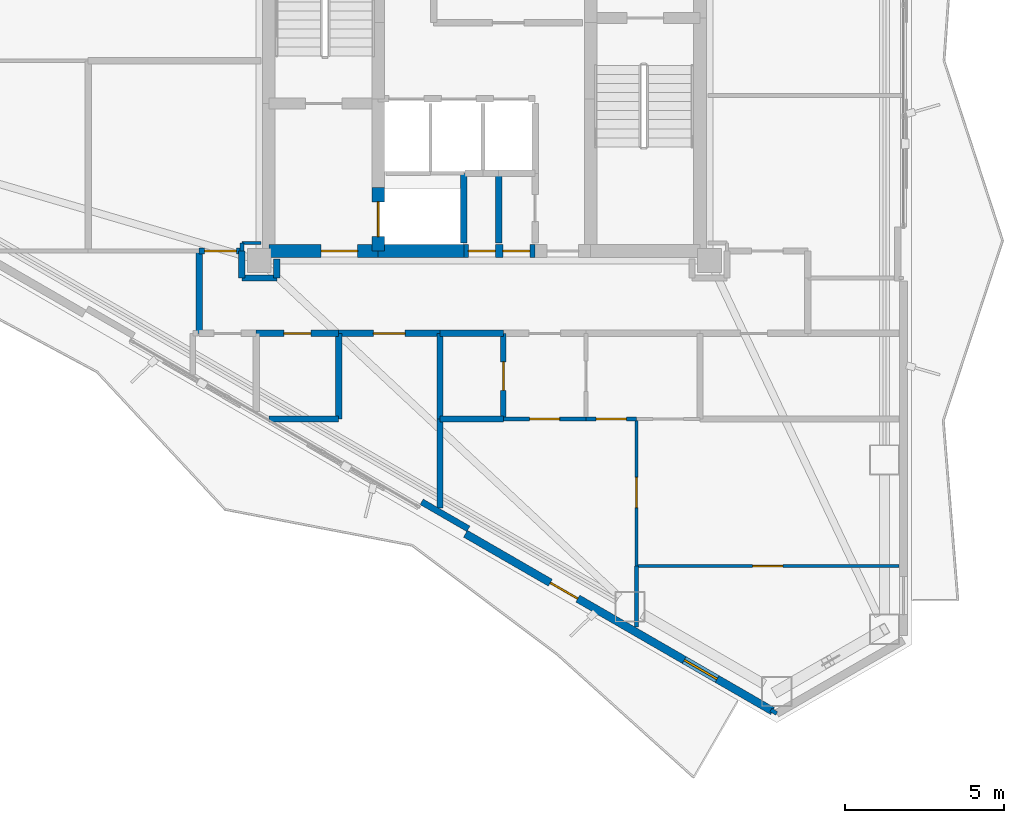
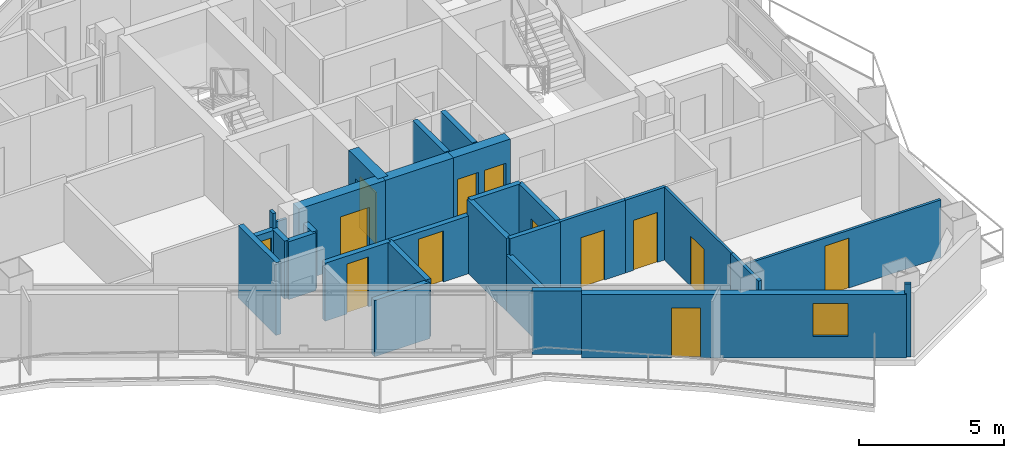
# One storey, part 12 of 19: 30 walls, 13 doors, 1 window, 14 openings.
"""IFC4 building model written with IfcOpenShell, lengths in metres."""

from ifc_helpers import new_model, si_unit, direction, frame, frame_2d, origin, place, context, subcontext, project, spatial, rectangle, extrude, material, layer, layer_set, type_object, element, fill, save


model = new_model("IFC4")

# Units and contexts
model_context = context("Model", 3, precision=1e-05, world=origin(), true_north=direction((0.0, 1.0)))
body_context = subcontext(model_context, "Body", "Model", "MODEL_VIEW")
ifc_project = project(units=[si_unit("LENGTHUNIT", "METRE"), si_unit("AREAUNIT", "SQUARE_METRE"), si_unit("VOLUMEUNIT", "CUBIC_METRE"), si_unit("PLANEANGLEUNIT", "RADIAN"), si_unit("MASSUNIT", "GRAM", prefix="KILO")], contexts=[model_context])

# Site, building, storey
site_placement = place(None, origin())
site = spatial("IfcSite", under=ifc_project, at=site_placement, CompositionType="ELEMENT")
building_placement = place(site_placement, origin())
building = spatial("IfcBuilding", under=site, at=building_placement, Name="Mersakhor Tower and Convention Hall", CompositionType="ELEMENT")
storey_placement = place(building_placement, frame((0.0, 0.0, 131.10009765625)))
storey = spatial("IfcBuildingStorey", under=building, at=storey_placement, Name="L36", CompositionType="ELEMENT", Elevation=131.10009765625)

# Wall, openings, door, window
ifc_material_1 = material(Name="Precast concrete C40/50", Category="concrete")
ifc_layer_1 = layer(ifc_material_1, 0.25)
ifc_layer_set_1 = layer_set([ifc_layer_1], Name="Precast concrete C40/50")
wall_type_1 = type_object("IfcWallType", Name="WL-EXT-250", PredefinedType="SOLIDWALL", material=ifc_layer_set_1)
wall_1_placement = place(storey_placement, frame((38.090576171875, 6.2373046875, 0.0), z_axis=(0.0, 0.0, 1.0), x_axis=(-0.86602239209, 0.500005216371, 0.0)))
wall_1 = element("IfcWall", 1, at=wall_1_placement, inside=storey, type_object=wall_type_1, Name="L36 Exterior Facade Wall F3-B1", PredefinedType="SOLIDWALL", context=body_context, shape_type="SweptSolid", body=[
    extrude(rectangle(XDim=11.18603515625, YDim=0.25, at=frame_2d((5.593017578125, 0.0))), origin(), (0.0, 0.0, 1.0), 2.679931640625),
])
opening_1_placement = place(wall_1_placement, frame((7.094970703125, 0.0, 0.0)))
opening_1 = element("IfcOpeningElement", 2, at=opening_1_placement, cuts=wall_1, Name="Opening BD-01", PredefinedType="OPENING", context=body_context, shape_type="SweptSolid", body=[
    extrude(rectangle(XDim=1.0, YDim=2.10009765625, at=frame_2d((0.5, 1.050048828125))), frame((0.0, 0.135009765625, 0.0), z_axis=(0.0, -1.0, 0.0), x_axis=(1.0, 0.0, 0.0)), (0.0, 0.0, 1.0), 0.27001953125),
])
opening_2_placement = place(wall_1_placement, frame((2.02001953125, 0.0, 0.89990234375)))
opening_2 = element("IfcOpeningElement", 3, at=opening_2_placement, cuts=wall_1, Name="Opening W-01", PredefinedType="OPENING", context=body_context, shape_type="SweptSolid", body=[
    extrude(rectangle(XDim=1.199951171875, YDim=1.39990234375, at=frame_2d((0.60009765625, 0.699951171875))), frame((0.0, 0.135009765625, 0.0), z_axis=(0.0, -1.0, 0.0), x_axis=(1.0, 0.0, 0.0)), (0.0, 0.0, 1.0), 0.27001953125),
])
ifc_material_2 = material(Name="Thermally broken dark aluminium and safety glass", Category="aluminium")
door_type_1 = type_object("IfcDoorType", Name="DR-BAL-100x210", OperationType="NOTDEFINED", PredefinedType="DOOR", material=ifc_material_2)
door_1_placement = place(opening_1_placement, origin())
door_1 = element("IfcDoor", 4, at=door_1_placement, inside=storey, type_object=door_type_1, Name="L36 Balcony Terrace Door F3-B1", OperationType="SINGLE_SWING_LEFT", OverallHeight=2.10009765625, OverallWidth=1.0, PredefinedType="DOOR", context=body_context, shape_type="SweptSolid", body=[
    extrude(rectangle(XDim=1.0, YDim=2.10009765625, at=frame_2d((0.5, 1.050048828125))), frame((0.0, 0.02490234375, 0.0), z_axis=(0.0, -1.0, 0.0), x_axis=(1.0, 0.0, 0.0)), (0.0, 0.0, 1.0), 0.050048828125),
])
fill(opening_1, door_1)
ifc_material_3 = material(Name="Dark solar low-E glazed aluminium window", Category="aluminium")
window_type = type_object("IfcWindowType", Name="WN-RES-120x150", PartitioningType="SINGLE_PANEL", PredefinedType="WINDOW", material=ifc_material_3)
window_placement = place(opening_2_placement, origin())
window = element("IfcWindow", 5, at=window_placement, inside=storey, type_object=window_type, Name="L36 Bedroom Facade Window F3-B1-1", OverallHeight=1.39990234375, OverallWidth=1.199951171875, PartitioningType="SINGLE_PANEL", PredefinedType="WINDOW", context=body_context, shape_type="SweptSolid", body=[
    extrude(rectangle(XDim=1.199951171875, YDim=1.39990234375, at=frame_2d((0.60009765625, 0.699951171875))), frame((0.0, 0.030029296875, 0.0), z_axis=(0.0, -1.0, 0.0), x_axis=(1.0, 0.0, 0.0)), (0.0, 0.0, 1.0), 0.06005859375),
])
fill(opening_2, window)

# Wall
ifc_material_4 = material(Name="Precast concrete C40/50", Category="concrete")
ifc_layer_2 = layer(ifc_material_4, 0.199951171875)
ifc_layer_set_2 = layer_set([ifc_layer_2], Name="Precast concrete C40/50")
wall_type_2 = type_object("IfcWallType", Name="WL-PAR-200", PredefinedType="PARAPET", material=ifc_layer_set_2)
wall_2_placement = place(storey_placement, frame((28.4931640625, 11.986328125, 0.0), z_axis=(0.0, 0.0, 1.0), x_axis=(-0.86605165483, 0.499954529098, 0.0)))
element("IfcWall", 6, at=wall_2_placement, inside=storey, type_object=wall_type_2, Name="L36 Column Pier Cladding Wall F3-C1", PredefinedType="PARAPET", context=body_context, shape_type="SweptSolid", body=[
    extrude(rectangle(XDim=1.699951171875, YDim=0.199951171875, at=frame_2d((0.85009765625, 0.0))), origin(), (0.0, 0.0, 1.0), 2.679931640625),
])

# Wall, opening, door
ifc_material_5 = material(Name="Moisture-resistant acoustic drywall studwork", Category="other")
ifc_layer_3 = layer(ifc_material_5, 0.175048828125)
ifc_layer_set_3 = layer_set([ifc_layer_3], Name="Moisture-resistant acoustic drywall studwork")
wall_type_3 = type_object("IfcWallType", Name="WL-PLM-175", PredefinedType="PLUMBINGWALL", material=ifc_layer_set_3)
wall_3_placement = place(storey_placement, frame((29.60009765625, 15.449951171875, 0.0), z_axis=(0.0, 0.0, 1.0), x_axis=(0.0, 1.0, 0.0)))
wall_3 = element("IfcWall", 7, at=wall_3_placement, inside=storey, type_object=wall_type_3, Name="L36 Interior Partition Wall P-056", PredefinedType="PLUMBINGWALL", context=body_context, shape_type="SweptSolid", body=[
    extrude(rectangle(XDim=2.699951171875, YDim=0.175048828125, at=frame_2d((1.35009765625, 0.0))), origin(), (0.0, 0.0, 1.0), 3.059814453125),
])
opening_3_placement = place(wall_3_placement, frame((0.89990234375, 0.0, 0.0)))
opening_3 = element("IfcOpeningElement", 8, at=opening_3_placement, cuts=wall_3, Name="Opening WD-01", PredefinedType="OPENING", context=body_context, shape_type="SweptSolid", body=[
    extrude(rectangle(XDim=0.89990234375, YDim=2.10009765625, at=frame_2d((0.449951171875, 1.050048828125))), frame((0.0, 0.097412109375, 0.0), z_axis=(0.0, -1.0, 0.0), x_axis=(1.0, 0.0, 0.0)), (0.0, 0.0, 1.0), 0.195068359375),
])
ifc_material_6 = material(Name="Solid-core hardwood leaf in painted steel frame", Category="steel")
door_type_2 = type_object("IfcDoorType", Name="DR-INT-WET-090x210", OperationType="NOTDEFINED", PredefinedType="DOOR", material=ifc_material_6)
door_2_placement = place(opening_3_placement, origin())
door_2 = element("IfcDoor", 9, at=door_2_placement, inside=storey, type_object=door_type_2, Name="L36 L36 Flat S3 Apartment Hall to L36 Flat S3 Bathroom Door", OperationType="SINGLE_SWING_LEFT", OverallHeight=2.10009765625, OverallWidth=0.89990234375, PredefinedType="DOOR", context=body_context, shape_type="SweptSolid", body=[
    extrude(rectangle(XDim=0.89990234375, YDim=2.10009765625, at=frame_2d((0.449951171875, 1.050048828125))), frame((0.0, 0.02490234375, 0.0), z_axis=(0.0, -1.0, 0.0), x_axis=(1.0, 0.0, 0.0)), (0.0, 0.0, 1.0), 0.050048828125),
])
fill(opening_3, door_2)

# Walls
wall_4_placement = place(storey_placement, frame((29.60009765625, 15.449951171875, 0.0), z_axis=(0.0, 0.0, 1.0), x_axis=(-1.0, 0.0, 0.0)))
element("IfcWall", 10, at=wall_4_placement, inside=storey, type_object=wall_type_3, Name="L36 Interior Partition Wall P-074", PredefinedType="PLUMBINGWALL", context=body_context, shape_type="SweptSolid", body=[
    extrude(rectangle(XDim=2.0, YDim=0.175048828125, at=frame_2d((1.0, 0.0))), origin(), (0.0, 0.0, 1.0), 3.059814453125),
])
ifc_material_7 = material(Name="Lightweight gypsum partition", Category="other")
ifc_layer_4 = layer(ifc_material_7, 0.10009765625)
ifc_layer_set_4 = layer_set([ifc_layer_4], Name="Lightweight gypsum partition")
wall_type_4 = type_object("IfcWallType", Name="WL-PRT-100", PredefinedType="PARTITIONING", material=ifc_layer_set_4)
wall_5_placement = place(storey_placement, frame((21.949951171875, 21.0, 0.0), z_axis=(0.0, 0.0, 1.0), x_axis=(-1.0, 0.0, 0.0)))
element("IfcWall", 11, at=wall_5_placement, inside=storey, type_object=wall_type_4, Name="L36 Interior Partition Wall P-096", PredefinedType="PARTITIONING", context=body_context, shape_type="SweptSolid", body=[
    extrude(rectangle(XDim=0.599853515625, YDim=0.10009765625, at=frame_2d((0.2998046875, 0.0))), origin(), (0.0, 0.0, 1.0), 2.50830078125),
])

# Wall, opening, door
wall_6_placement = place(storey_placement, frame((33.800048828125, 15.449951171875, 0.0), z_axis=(0.0, 0.0, 1.0), x_axis=(0.0, -1.0, 0.0)))
wall_6 = element("IfcWall", 12, at=wall_6_placement, inside=storey, type_object=wall_type_4, Name="L36 Interior Partition Wall P-120", PredefinedType="PARTITIONING", context=body_context, shape_type="SweptSolid", body=[
    extrude(rectangle(XDim=4.639892578125, YDim=0.10009765625, at=frame_2d((2.31982421875, 0.0))), origin(), (0.0, 0.0, 1.0), 3.059814453125),
])
opening_4_placement = place(wall_6_placement, frame((1.844970703125, 0.0, 0.0)))
opening_4 = element("IfcOpeningElement", 13, at=opening_4_placement, cuts=wall_6, Name="Opening RD-01", PredefinedType="OPENING", context=body_context, shape_type="SweptSolid", body=[
    extrude(rectangle(XDim=0.949951171875, YDim=2.10009765625, at=frame_2d((0.47509765625, 1.050048828125))), frame((0.0, 0.06005859375, 0.0), z_axis=(0.0, -1.0, 0.0), x_axis=(1.0, 0.0, 0.0)), (0.0, 0.0, 1.0), 0.1201171875),
])
ifc_material_8 = material(Name="Solid-core hardwood leaf in painted steel frame", Category="steel")
door_type_3 = type_object("IfcDoorType", Name="DR-INT-RM-095x210", OperationType="NOTDEFINED", PredefinedType="DOOR", material=ifc_material_8)
door_3_placement = place(opening_4_placement, origin())
door_3 = element("IfcDoor", 14, at=door_3_placement, inside=storey, type_object=door_type_3, Name="L36 L36 Flat S3 Living and Dining Room to L36 Flat S3 Dining Room Door", OperationType="SINGLE_SWING_LEFT", OverallHeight=2.10009765625, OverallWidth=0.949951171875, PredefinedType="DOOR", context=body_context, shape_type="SweptSolid", body=[
    extrude(rectangle(XDim=0.949951171875, YDim=2.10009765625, at=frame_2d((0.47509765625, 1.050048828125))), frame((0.0, 0.02490234375, 0.0), z_axis=(0.0, -1.0, 0.0), x_axis=(1.0, 0.0, 0.0)), (0.0, 0.0, 1.0), 0.050048828125),
])
fill(opening_4, door_3)

wall_7_placement = place(storey_placement, frame((33.800048828125, 10.81005859375, 0.0), z_axis=(0.0, 0.0, 1.0), x_axis=(1.0, 0.0, 0.0)))
wall_7 = element("IfcWall", 15, at=wall_7_placement, inside=storey, type_object=wall_type_4, Name="L36 Interior Partition Wall P-122", PredefinedType="PARTITIONING", context=body_context, shape_type="SweptSolid", body=[
    extrude(rectangle(XDim=8.270263671875, YDim=0.10009765625, at=frame_2d((4.13525390625, 0.0))), origin(), (0.0, 0.0, 1.0), 2.4326171875),
])
opening_5_placement = place(wall_7_placement, frame((3.66015625, 0.0, 0.0)))
opening_5 = element("IfcOpeningElement", 16, at=opening_5_placement, cuts=wall_7, Name="Opening RD-01", PredefinedType="OPENING", context=body_context, shape_type="SweptSolid", body=[
    extrude(rectangle(XDim=0.949951171875, YDim=2.10009765625, at=frame_2d((0.47509765625, 1.050048828125))), frame((0.0, 0.06005859375, 0.0), z_axis=(0.0, -1.0, 0.0), x_axis=(1.0, 0.0, 0.0)), (0.0, 0.0, 1.0), 0.1201171875),
])
door_4_placement = place(opening_5_placement, origin())
door_4 = element("IfcDoor", 17, at=door_4_placement, inside=storey, type_object=door_type_3, Name="L36 L36 Flat S3 Bedroom 1 to L36 Flat S3 Dining Room Door", OperationType="SINGLE_SWING_RIGHT", OverallHeight=2.10009765625, OverallWidth=0.949951171875, PredefinedType="DOOR", context=body_context, shape_type="SweptSolid", body=[
    extrude(rectangle(XDim=0.949951171875, YDim=2.10009765625, at=frame_2d((0.47509765625, 1.050048828125))), frame((0.0, 0.02490234375, 0.0), z_axis=(0.0, -1.0, 0.0), x_axis=(1.0, 0.0, 0.0)), (0.0, 0.0, 1.0), 0.050048828125),
])
fill(opening_5, door_4)

ifc_material_9 = material(Name="Gypsum board acoustic partition", Category="other")
ifc_layer_5 = layer(ifc_material_9, 0.125)
ifc_layer_set_5 = layer_set([ifc_layer_5], Name="Gypsum board acoustic partition")
wall_type_5 = type_object("IfcWallType", Name="WL-PRT-125", PredefinedType="PARTITIONING", material=ifc_layer_set_5)
wall_8_placement = place(storey_placement, frame((32.199951171875, 15.449951171875, 0.0), z_axis=(0.0, 0.0, 1.0), x_axis=(-1.0, 0.0, 0.0)))
wall_8 = element("IfcWall", 18, at=wall_8_placement, inside=storey, type_object=wall_type_5, Name="L36 Interior Partition Wall P-055", PredefinedType="PARTITIONING", context=body_context, shape_type="SweptSolid", body=[
    extrude(rectangle(XDim=2.599853515625, YDim=0.125, at=frame_2d((1.2998046875, 0.0))), origin(), (0.0, 0.0, 1.0), 3.059814453125),
])
opening_6_placement = place(wall_8_placement, frame((0.824951171875, 0.0, 0.0)))
opening_6 = element("IfcOpeningElement", 19, at=opening_6_placement, cuts=wall_8, Name="Opening RD-01", PredefinedType="OPENING", context=body_context, shape_type="SweptSolid", body=[
    extrude(rectangle(XDim=0.949951171875, YDim=2.10009765625, at=frame_2d((0.47509765625, 1.050048828125))), frame((0.0, 0.072509765625, 0.0), z_axis=(0.0, -1.0, 0.0), x_axis=(1.0, 0.0, 0.0)), (0.0, 0.0, 1.0), 0.14501953125),
])
door_5_placement = place(opening_6_placement, origin())
door_5 = element("IfcDoor", 20, at=door_5_placement, inside=storey, type_object=door_type_3, Name="L36 L36 Flat S3 Apartment Hall to L36 Flat S3 Living and Dining Room Door", OperationType="SINGLE_SWING_LEFT", OverallHeight=2.10009765625, OverallWidth=0.949951171875, PredefinedType="DOOR", context=body_context, shape_type="SweptSolid", body=[
    extrude(rectangle(XDim=0.949951171875, YDim=2.10009765625, at=frame_2d((0.47509765625, 1.050048828125))), frame((0.0, 0.02490234375, 0.0), z_axis=(0.0, -1.0, 0.0), x_axis=(1.0, 0.0, 0.0)), (0.0, 0.0, 1.0), 0.050048828125),
])
fill(opening_6, door_5)

wall_9_placement = place(storey_placement, frame((33.800048828125, 15.449951171875, 0.0), z_axis=(0.0, 0.0, 1.0), x_axis=(-1.0, 0.0, 0.0)))
wall_9 = element("IfcWall", 21, at=wall_9_placement, inside=storey, type_object=wall_type_5, Name="L36 Interior Partition Wall P-077", PredefinedType="PARTITIONING", context=body_context, shape_type="SweptSolid", body=[
    extrude(rectangle(XDim=1.60009765625, YDim=0.125, at=frame_2d((0.800048828125, 0.0))), origin(), (0.0, 0.0, 1.0), 3.059814453125),
])
opening_7_placement = place(wall_9_placement, frame((0.324951171875, 0.0, 0.0)))
opening_7 = element("IfcOpeningElement", 22, at=opening_7_placement, cuts=wall_9, Name="Opening RD-01", PredefinedType="OPENING", context=body_context, shape_type="SweptSolid", body=[
    extrude(rectangle(XDim=0.949951171875, YDim=2.10009765625, at=frame_2d((0.47509765625, 1.050048828125))), frame((0.0, 0.072509765625, 0.0), z_axis=(0.0, -1.0, 0.0), x_axis=(1.0, 0.0, 0.0)), (0.0, 0.0, 1.0), 0.14501953125),
])
door_6_placement = place(opening_7_placement, origin())
door_6 = element("IfcDoor", 23, at=door_6_placement, inside=storey, type_object=door_type_3, Name="L36 L36 Flat S3 Kitchen to L36 Flat S3 Living and Dining Room Door", OperationType="SINGLE_SWING_LEFT", OverallHeight=2.10009765625, OverallWidth=0.949951171875, PredefinedType="DOOR", context=body_context, shape_type="SweptSolid", body=[
    extrude(rectangle(XDim=0.949951171875, YDim=2.10009765625, at=frame_2d((0.47509765625, 1.050048828125))), frame((0.0, 0.02490234375, 0.0), z_axis=(0.0, -1.0, 0.0), x_axis=(1.0, 0.0, 0.0)), (0.0, 0.0, 1.0), 0.050048828125),
])
fill(opening_7, door_6)

# Walls
wall_10_placement = place(storey_placement, frame((21.35009765625, 21.0, 0.0), z_axis=(0.0, 0.0, 1.0), x_axis=(0.0, -1.0, 0.0)))
element("IfcWall", 24, at=wall_10_placement, inside=storey, type_object=wall_type_5, Name="L36 Interior Partition Wall P-097", PredefinedType="PARTITIONING", context=body_context, shape_type="SweptSolid", body=[
    extrude(rectangle(XDim=0.25, YDim=0.125, at=frame_2d((0.125, 0.0))), origin(), (0.0, 0.0, 1.0), 3.059814453125),
])
wall_11_placement = place(storey_placement, frame((33.800048828125, 10.81005859375, 0.0), z_axis=(0.0, 0.0, 1.0), x_axis=(0.0, -1.0, 0.0)))
element("IfcWall", 25, at=wall_11_placement, inside=storey, type_object=wall_type_5, Name="L36 Interior Partition Wall P-121", PredefinedType="PARTITIONING", context=body_context, shape_type="SweptSolid", body=[
    extrude(rectangle(XDim=1.92333984375, YDim=0.125, at=frame_2d((0.961669921875, 0.0))), origin(), (0.0, 0.0, 1.0), 3.059814453125),
])
wall_12_placement = place(storey_placement, frame((38.220703125, 6.162109375, 0.0), z_axis=(0.0, 0.0, 1.0), x_axis=(-0.865581379588, 0.500768285049, 0.0)))
element("IfcWall", 26, at=wall_12_placement, inside=storey, type_object=wall_type_5, Name="L36 Interior Partition Wall P-123", PredefinedType="PARTITIONING", context=body_context, shape_type="SweptSolid", body=[
    extrude(rectangle(XDim=0.215576171875, YDim=0.125, at=frame_2d((0.10791015625, 0.0))), origin(), (0.0, 0.0, 1.0), 3.059814453125),
])
ifc_material_10 = material(Name="Acoustic concrete blockwork and gypsum board", Category="masonry")
ifc_layer_6 = layer(ifc_material_10, 0.199951171875)
ifc_layer_set_6 = layer_set([ifc_layer_6], Name="Acoustic concrete blockwork and gypsum board")
wall_type_6 = type_object("IfcWallType", Name="WL-PRT-200", PredefinedType="PARTITIONING", material=ifc_layer_set_6)
wall_13_placement = place(storey_placement, frame((28.35009765625, 23.199951171875, 0.0), z_axis=(0.0, 0.0, 1.0), x_axis=(0.0, -1.0, 0.0)))
element("IfcWall", 27, at=wall_13_placement, inside=storey, type_object=wall_type_6, Name="L36 Interior Partition Wall P-003", PredefinedType="PARTITIONING", context=body_context, shape_type="SweptSolid", body=[
    extrude(rectangle(XDim=2.199951171875, YDim=0.199951171875, at=frame_2d((1.10009765625, 0.0))), origin(), (0.0, 0.0, 1.0), 3.059814453125),
])
wall_14_placement = place(storey_placement, frame((22.449951171875, 19.89990234375, 0.0), z_axis=(0.0, 0.0, 1.0), x_axis=(0.0, 1.0, 0.0)))
element("IfcWall", 28, at=wall_14_placement, inside=storey, type_object=wall_type_6, Name="L36 Interior Partition Wall P-034", PredefinedType="PARTITIONING", context=body_context, shape_type="SweptSolid", body=[
    extrude(rectangle(XDim=0.60009765625, YDim=0.199951171875, at=frame_2d((0.300048828125, 0.0))), origin(), (0.0, 0.0, 1.0), 2.4326171875),
])
wall_15_placement = place(storey_placement, frame((29.60009765625, 18.14990234375, 0.0), z_axis=(0.0, 0.0, 1.0), x_axis=(-1.0, 0.0, 0.0)))
element("IfcWall", 29, at=wall_15_placement, inside=storey, type_object=wall_type_6, Name="L36 Interior Partition Wall P-044", PredefinedType="PARTITIONING", context=body_context, shape_type="SweptSolid", body=[
    extrude(rectangle(XDim=2.0, YDim=0.199951171875, at=frame_2d((1.0, 0.0))), origin(), (0.0, 0.0, 1.0), 3.059814453125),
])

# Wall, opening, door
wall_16_placement = place(storey_placement, frame((27.60009765625, 18.14990234375, 0.0), z_axis=(0.0, 0.0, 1.0), x_axis=(-1.0, 0.0, 0.0)))
wall_16 = element("IfcWall", 30, at=wall_16_placement, inside=storey, type_object=wall_type_6, Name="L36 Interior Partition Wall P-045", PredefinedType="PARTITIONING", context=body_context, shape_type="SweptSolid", body=[
    extrude(rectangle(XDim=3.2001953125, YDim=0.199951171875, at=frame_2d((1.60009765625, 0.0))), origin(), (0.0, 0.0, 1.0), 2.4326171875),
])
opening_8_placement = place(wall_16_placement, frame((1.10009765625, 0.0, 0.0)))
opening_8 = element("IfcOpeningElement", 31, at=opening_8_placement, cuts=wall_16, Name="Opening FD-01", PredefinedType="OPENING", context=body_context, shape_type="SweptSolid", body=[
    extrude(rectangle(XDim=1.0, YDim=2.14990234375, at=frame_2d((0.5, 1.074951171875))), frame((0.0, 0.10986328125, 0.0), z_axis=(0.0, -1.0, 0.0), x_axis=(1.0, 0.0, 0.0)), (0.0, 0.0, 1.0), 0.219970703125),
])
ifc_material_11 = material(Name="Fire-rated hardwood leaf and painted steel frame", Category="steel")
door_type_4 = type_object("IfcDoorType", Name="DR-INT-FLT-100x215", OperationType="NOTDEFINED", PredefinedType="DOOR", material=ifc_material_11)
door_7_placement = place(opening_8_placement, origin())
door_7 = element("IfcDoor", 32, at=door_7_placement, inside=storey, type_object=door_type_4, Name="L36 Residential South Gallery Corridor to L36 Floor Shared Tea Pantry 2-3 Door", OperationType="SINGLE_SWING_LEFT", OverallHeight=2.14990234375, OverallWidth=1.0, PredefinedType="DOOR", context=body_context, shape_type="SweptSolid", body=[
    extrude(rectangle(XDim=1.0, YDim=2.14990234375, at=frame_2d((0.5, 1.074951171875))), frame((0.0, 0.02490234375, 0.0), z_axis=(0.0, -1.0, 0.0), x_axis=(1.0, 0.0, 0.0)), (0.0, 0.0, 1.0), 0.050048828125),
])
fill(opening_8, door_7)

wall_17_placement = place(storey_placement, frame((24.39990234375, 18.14990234375, 0.0), z_axis=(0.0, 0.0, 1.0), x_axis=(-1.0, 0.0, 0.0)))
wall_17 = element("IfcWall", 33, at=wall_17_placement, inside=storey, type_object=wall_type_6, Name="L36 Interior Partition Wall P-046", PredefinedType="PARTITIONING", context=body_context, shape_type="SweptSolid", body=[
    extrude(rectangle(XDim=2.599853515625, YDim=0.199951171875, at=frame_2d((1.2998046875, 0.0))), origin(), (0.0, 0.0, 1.0), 2.4326171875),
])
opening_9_placement = place(wall_17_placement, frame((0.875, 0.0, 0.0)))
opening_9 = element("IfcOpeningElement", 34, at=opening_9_placement, cuts=wall_17, Name="Opening SVD-01", PredefinedType="OPENING", context=body_context, shape_type="SweptSolid", body=[
    extrude(rectangle(XDim=0.85009765625, YDim=2.10009765625, at=frame_2d((0.425048828125, 1.050048828125))), frame((0.0, 0.10986328125, 0.0), z_axis=(0.0, -1.0, 0.0), x_axis=(1.0, 0.0, 0.0)), (0.0, 0.0, 1.0), 0.219970703125),
])
ifc_material_12 = material(Name="Fire-rated hardwood leaf and painted steel frame", Category="steel")
door_type_5 = type_object("IfcDoorType", Name="DR-INT-SVC-085x210", OperationType="NOTDEFINED", PredefinedType="DOOR", material=ifc_material_12)
door_8_placement = place(opening_9_placement, origin())
door_8 = element("IfcDoor", 35, at=door_8_placement, inside=storey, type_object=door_type_5, Name="L36 Residential South Gallery Corridor to L36 Floor Household Store Room 2-1 Door", OperationType="SINGLE_SWING_RIGHT", OverallHeight=2.10009765625, OverallWidth=0.85009765625, PredefinedType="DOOR", context=body_context, shape_type="SweptSolid", body=[
    extrude(rectangle(XDim=0.85009765625, YDim=2.10009765625, at=frame_2d((0.425048828125, 1.050048828125))), frame((0.0, 0.02490234375, 0.0), z_axis=(0.0, -1.0, 0.0), x_axis=(1.0, 0.0, 0.0)), (0.0, 0.0, 1.0), 0.050048828125),
])
fill(opening_9, door_8)

# Wall
wall_18_placement = place(storey_placement, frame((20.0, 18.14990234375, 0.0), z_axis=(0.0, 0.0, 1.0), x_axis=(0.0, 1.0, 0.0)))
element("IfcWall", 36, at=wall_18_placement, inside=storey, type_object=wall_type_6, Name="L36 Interior Partition Wall P-048", PredefinedType="PARTITIONING", context=body_context, shape_type="SweptSolid", body=[
    extrude(rectangle(XDim=2.60009765625, YDim=0.199951171875, at=frame_2d((1.300048828125, 0.0))), origin(), (0.0, 0.0, 1.0), 3.059814453125),
])

# Wall, opening, door
wall_19_placement = place(storey_placement, frame((20.0, 20.75, 0.0), z_axis=(0.0, 0.0, 1.0), x_axis=(1.0, 0.0, 0.0)))
wall_19 = element("IfcWall", 37, at=wall_19_placement, inside=storey, type_object=wall_type_6, Name="L36 Interior Partition Wall P-049", PredefinedType="PARTITIONING", context=body_context, shape_type="SweptSolid", body=[
    extrude(rectangle(XDim=1.35009765625, YDim=0.199951171875, at=frame_2d((0.675048828125, 0.0))), origin(), (0.0, 0.0, 1.0), 2.4326171875),
])
opening_10_placement = place(wall_19_placement, frame((0.175048828125, 0.0, 0.0)))
opening_10 = element("IfcOpeningElement", 38, at=opening_10_placement, cuts=wall_19, Name="Opening FD-01", PredefinedType="OPENING", context=body_context, shape_type="SweptSolid", body=[
    extrude(rectangle(XDim=1.0, YDim=2.14990234375, at=frame_2d((0.5, 1.074951171875))), frame((0.0, 0.10986328125, 0.0), z_axis=(0.0, -1.0, 0.0), x_axis=(1.0, 0.0, 0.0)), (0.0, 0.0, 1.0), 0.219970703125),
])
door_9_placement = place(opening_10_placement, origin())
door_9 = element("IfcDoor", 39, at=door_9_placement, inside=storey, type_object=door_type_4, Name="L36 Residential South Gallery Corridor to L36 West Wing Quiet Study Room Door", OperationType="SINGLE_SWING_RIGHT", OverallHeight=2.14990234375, OverallWidth=1.0, PredefinedType="DOOR", context=body_context, shape_type="SweptSolid", body=[
    extrude(rectangle(XDim=1.0, YDim=2.14990234375, at=frame_2d((0.5, 1.074951171875))), frame((0.0, 0.02490234375, 0.0), z_axis=(0.0, -1.0, 0.0), x_axis=(1.0, 0.0, 0.0)), (0.0, 0.0, 1.0), 0.050048828125),
])
fill(opening_10, door_9)

# Walls
wall_20_placement = place(storey_placement, frame((21.35009765625, 20.75, 0.0), z_axis=(0.0, 0.0, 1.0), x_axis=(0.0, -1.0, 0.0)))
element("IfcWall", 40, at=wall_20_placement, inside=storey, type_object=wall_type_6, Name="L36 Interior Partition Wall P-050", PredefinedType="PARTITIONING", context=body_context, shape_type="SweptSolid", body=[
    extrude(rectangle(XDim=0.85009765625, YDim=0.199951171875, at=frame_2d((0.425048828125, 0.0))), origin(), (0.0, 0.0, 1.0), 2.4326171875),
])
wall_21_placement = place(storey_placement, frame((21.35009765625, 19.89990234375, 0.0), z_axis=(0.0, 0.0, 1.0), x_axis=(1.0, 0.0, 0.0)))
element("IfcWall", 41, at=wall_21_placement, inside=storey, type_object=wall_type_6, Name="L36 Interior Partition Wall P-051", PredefinedType="PARTITIONING", context=body_context, shape_type="SweptSolid", body=[
    extrude(rectangle(XDim=1.099853515625, YDim=0.199951171875, at=frame_2d((0.5498046875, 0.0))), origin(), (0.0, 0.0, 1.0), 2.4326171875),
])
wall_22_placement = place(storey_placement, frame((27.60009765625, 15.449951171875, 0.0), z_axis=(0.0, 0.0, 1.0), x_axis=(0.0, 1.0, 0.0)))
element("IfcWall", 42, at=wall_22_placement, inside=storey, type_object=wall_type_6, Name="L36 Interior Partition Wall P-075", PredefinedType="PARTITIONING", context=body_context, shape_type="SweptSolid", body=[
    extrude(rectangle(XDim=2.699951171875, YDim=0.199951171875, at=frame_2d((1.35009765625, 0.0))), origin(), (0.0, 0.0, 1.0), 3.059814453125),
])
wall_23_placement = place(storey_placement, frame((29.449951171875, 23.199951171875, 0.0), z_axis=(0.0, 0.0, 1.0), x_axis=(0.0, -1.0, 0.0)))
element("IfcWall", 43, at=wall_23_placement, inside=storey, type_object=wall_type_6, Name="L36 Interior Partition Wall P-086", PredefinedType="PARTITIONING", context=body_context, shape_type="SweptSolid", body=[
    extrude(rectangle(XDim=2.199951171875, YDim=0.199951171875, at=frame_2d((1.10009765625, 0.0))), origin(), (0.0, 0.0, 1.0), 3.059814453125),
])
wall_24_placement = place(storey_placement, frame((24.39990234375, 18.14990234375, 0.0), z_axis=(0.0, 0.0, 1.0), x_axis=(0.0, -1.0, 0.0)))
element("IfcWall", 44, at=wall_24_placement, inside=storey, type_object=wall_type_6, Name="L36 Interior Partition Wall P-117", PredefinedType="PARTITIONING", context=body_context, shape_type="SweptSolid", body=[
    extrude(rectangle(XDim=2.699951171875, YDim=0.199951171875, at=frame_2d((1.35009765625, 0.0))), origin(), (0.0, 0.0, 1.0), 2.4326171875),
])
wall_25_placement = place(storey_placement, frame((24.39990234375, 15.449951171875, 0.0), z_axis=(0.0, 0.0, 1.0), x_axis=(-1.0, 0.0, 0.0)))
element("IfcWall", 45, at=wall_25_placement, inside=storey, type_object=wall_type_6, Name="L36 Interior Partition Wall P-118", PredefinedType="PARTITIONING", context=body_context, shape_type="SweptSolid", body=[
    extrude(rectangle(XDim=2.197021484375, YDim=0.199951171875, at=frame_2d((1.0986328125, 0.0))), origin(), (0.0, 0.0, 1.0), 2.364990234375),
])
wall_26_placement = place(storey_placement, frame((27.60009765625, 15.449951171875, 0.0), z_axis=(0.0, 0.0, 1.0), x_axis=(0.0, -1.0, 0.0)))
element("IfcWall", 46, at=wall_26_placement, inside=storey, type_object=wall_type_6, Name="L36 Interior Partition Wall P-119", PredefinedType="PARTITIONING", context=body_context, shape_type="SweptSolid", body=[
    extrude(rectangle(XDim=2.804931640625, YDim=0.199951171875, at=frame_2d((1.40234375, 0.0))), origin(), (0.0, 0.0, 1.0), 2.364990234375),
])

# Wall, openings, doors
ifc_material_13 = material(Name="Concrete C60/75", Category="concrete")
ifc_layer_7 = layer(ifc_material_13, 0.39990234375)
ifc_layer_set_7 = layer_set([ifc_layer_7], Name="Concrete C60/75")
wall_type_7 = type_object("IfcWallType", Name="WL-SHR-400", PredefinedType="SHEAR", material=ifc_layer_set_7)
wall_27_placement = place(storey_placement, frame((30.60009765625, 20.75, 0.0), z_axis=(0.0, 0.0, 1.0), x_axis=(-1.0, 0.0, 0.0)))
wall_27 = element("IfcWall", 47, at=wall_27_placement, inside=storey, type_object=wall_type_7, Name="L36 Core Wall CW-S2B", PredefinedType="SHEAR", context=body_context, shape_type="SweptSolid", body=[
    extrude(rectangle(XDim=2.25, YDim=0.39990234375, at=frame_2d((1.125, 0.0))), origin(), (0.0, 0.0, 1.0), 3.059814453125),
])
opening_11_placement = place(wall_27_placement, frame((1.2548828125, 0.0, 0.0)))
opening_11 = element("IfcOpeningElement", 48, at=opening_11_placement, cuts=wall_27, Name="Opening SVD-01", PredefinedType="OPENING", context=body_context, shape_type="SweptSolid", body=[
    extrude(rectangle(XDim=0.85009765625, YDim=2.10009765625, at=frame_2d((0.425048828125, 1.050048828125))), frame((0.0, 0.2099609375, 0.0), z_axis=(0.0, -1.0, 0.0), x_axis=(1.0, 0.0, 0.0)), (0.0, 0.0, 1.0), 0.419921875),
])
opening_12_placement = place(wall_27_placement, frame((0.169921875, 0.0, 0.0)))
opening_12 = element("IfcOpeningElement", 49, at=opening_12_placement, cuts=wall_27, Name="Opening SVD-01", PredefinedType="OPENING", context=body_context, shape_type="SweptSolid", body=[
    extrude(rectangle(XDim=0.85009765625, YDim=2.10009765625, at=frame_2d((0.425048828125, 1.050048828125))), frame((0.0, 0.2099609375, 0.0), z_axis=(0.0, -1.0, 0.0), x_axis=(1.0, 0.0, 0.0)), (0.0, 0.0, 1.0), 0.419921875),
])
door_10_placement = place(opening_11_placement, origin())
door_10 = element("IfcDoor", 50, at=door_10_placement, inside=storey, type_object=door_type_5, Name="L36 Residential South Gallery Corridor to Sub-Metering Switch Room Door", OperationType="SINGLE_SWING_LEFT", OverallHeight=2.10009765625, OverallWidth=0.85009765625, PredefinedType="DOOR", context=body_context, shape_type="SweptSolid", body=[
    extrude(rectangle(XDim=0.85009765625, YDim=2.10009765625, at=frame_2d((0.425048828125, 1.050048828125))), frame((0.0, 0.02490234375, 0.0), z_axis=(0.0, -1.0, 0.0), x_axis=(1.0, 0.0, 0.0)), (0.0, 0.0, 1.0), 0.050048828125),
])
fill(opening_11, door_10)
door_11_placement = place(opening_12_placement, origin())
door_11 = element("IfcDoor", 51, at=door_11_placement, inside=storey, type_object=door_type_5, Name="L36 Residential South Gallery Corridor to Core Maintenance Store Room Door", OperationType="SINGLE_SWING_RIGHT", OverallHeight=2.10009765625, OverallWidth=0.85009765625, PredefinedType="DOOR", context=body_context, shape_type="SweptSolid", body=[
    extrude(rectangle(XDim=0.85009765625, YDim=2.10009765625, at=frame_2d((0.425048828125, 1.050048828125))), frame((0.0, 0.02490234375, 0.0), z_axis=(0.0, -1.0, 0.0), x_axis=(1.0, 0.0, 0.0)), (0.0, 0.0, 1.0), 0.050048828125),
])
fill(opening_12, door_11)

# Wall
wall_28_placement = place(storey_placement, frame((28.35009765625, 20.75, 0.0), z_axis=(0.0, 0.0, 1.0), x_axis=(-1.0, 0.0, 0.0)))
element("IfcWall", 52, at=wall_28_placement, inside=storey, type_object=wall_type_7, Name="L36 Core Wall CW-S3", PredefinedType="SHEAR", context=body_context, shape_type="SweptSolid", body=[
    extrude(rectangle(XDim=2.7001953125, YDim=0.39990234375, at=frame_2d((1.35009765625, 0.0))), origin(), (0.0, 0.0, 1.0), 3.059814453125),
])

# Wall, opening, door
wall_29_placement = place(storey_placement, frame((25.64990234375, 20.75, 0.0), z_axis=(0.0, 0.0, 1.0), x_axis=(-1.0, 0.0, 0.0)))
wall_29 = element("IfcWall", 53, at=wall_29_placement, inside=storey, type_object=wall_type_7, Name="L36 Core Wall CW-S4", PredefinedType="SHEAR", context=body_context, shape_type="SweptSolid", body=[
    extrude(rectangle(XDim=3.449951171875, YDim=0.39990234375, at=frame_2d((1.72509765625, 0.0))), origin(), (0.0, 0.0, 1.0), 3.059814453125),
])
opening_13_placement = place(wall_29_placement, frame((0.64990234375, 0.0, 0.0)))
opening_13 = element("IfcOpeningElement", 54, at=opening_13_placement, cuts=wall_29, Name="Opening SD-01", PredefinedType="OPENING", context=body_context, shape_type="SweptSolid", body=[
    extrude(rectangle(XDim=1.14990234375, YDim=2.14990234375, at=frame_2d((0.574951171875, 1.074951171875))), frame((0.0, 0.2099609375, 0.0), z_axis=(0.0, -1.0, 0.0), x_axis=(1.0, 0.0, 0.0)), (0.0, 0.0, 1.0), 0.419921875),
])
ifc_material_14 = material(Name="Fire-rated hardwood leaf and painted steel frame", Category="steel")
door_type_6 = type_object("IfcDoorType", Name="DR-INT-STAIR-115x215", OperationType="NOTDEFINED", PredefinedType="DOOR", material=ifc_material_14)
door_12_placement = place(opening_13_placement, origin())
door_12 = element("IfcDoor", 55, at=door_12_placement, inside=storey, type_object=door_type_6, Name="L36 Firefighting Lobby West Fire Door", OperationType="SINGLE_SWING_LEFT", OverallHeight=2.14990234375, OverallWidth=1.14990234375, PredefinedType="DOOR", context=body_context, shape_type="SweptSolid", body=[
    extrude(rectangle(XDim=1.14990234375, YDim=2.14990234375, at=frame_2d((0.574951171875, 1.074951171875))), frame((0.0, 0.02490234375, 0.0), z_axis=(0.0, -1.0, 0.0), x_axis=(1.0, 0.0, 0.0)), (0.0, 0.0, 1.0), 0.050048828125),
])
fill(opening_13, door_12)

wall_30_placement = place(storey_placement, frame((25.64990234375, 20.75, 0.0), z_axis=(0.0, 0.0, 1.0), x_axis=(0.0, 1.0, 0.0)))
wall_30 = element("IfcWall", 56, at=wall_30_placement, inside=storey, type_object=wall_type_7, Name="L36 Core Wall CS-W-FFL", PredefinedType="SHEAR", context=body_context, shape_type="SweptSolid", body=[
    extrude(rectangle(XDim=2.0, YDim=0.39990234375, at=frame_2d((1.0, 0.0))), origin(), (0.0, 0.0, 1.0), 3.059814453125),
])
opening_14_placement = place(wall_30_placement, frame((0.449951171875, 0.0, 0.0)))
opening_14 = element("IfcOpeningElement", 57, at=opening_14_placement, cuts=wall_30, Name="Opening LD-FFL1", PredefinedType="OPENING", context=body_context, shape_type="SweptSolid", body=[
    extrude(rectangle(XDim=1.10009765625, YDim=2.14990234375, at=frame_2d((0.550048828125, 1.074951171875))), frame((0.0, 0.2099609375, 0.0), z_axis=(0.0, -1.0, 0.0), x_axis=(1.0, 0.0, 0.0)), (0.0, 0.0, 1.0), 0.419921875),
])
ifc_material_15 = material(Name="Fire-rated brushed stainless steel sliding landing door", Category="steel")
door_type_7 = type_object("IfcDoorType", Name="DR-LIFT-SLD-110x215", OperationType="NOTDEFINED", PredefinedType="DOOR", material=ifc_material_15)
door_13_placement = place(opening_14_placement, origin())
door_13 = element("IfcDoor", 58, at=door_13_placement, inside=storey, type_object=door_type_7, Name="L36 Firefighting Lift Landing Door LD-FFL1", OperationType="SLIDING_TO_LEFT", OverallHeight=2.14990234375, OverallWidth=1.10009765625, PredefinedType="DOOR", context=body_context, shape_type="SweptSolid", body=[
    extrude(rectangle(XDim=1.10009765625, YDim=2.14990234375, at=frame_2d((0.550048828125, 1.074951171875))), frame((0.0, 0.02490234375, 0.0), z_axis=(0.0, -1.0, 0.0), x_axis=(1.0, 0.0, 0.0)), (0.0, 0.0, 1.0), 0.050048828125),
])
fill(opening_14, door_13)

save(model, "model.ifc")
